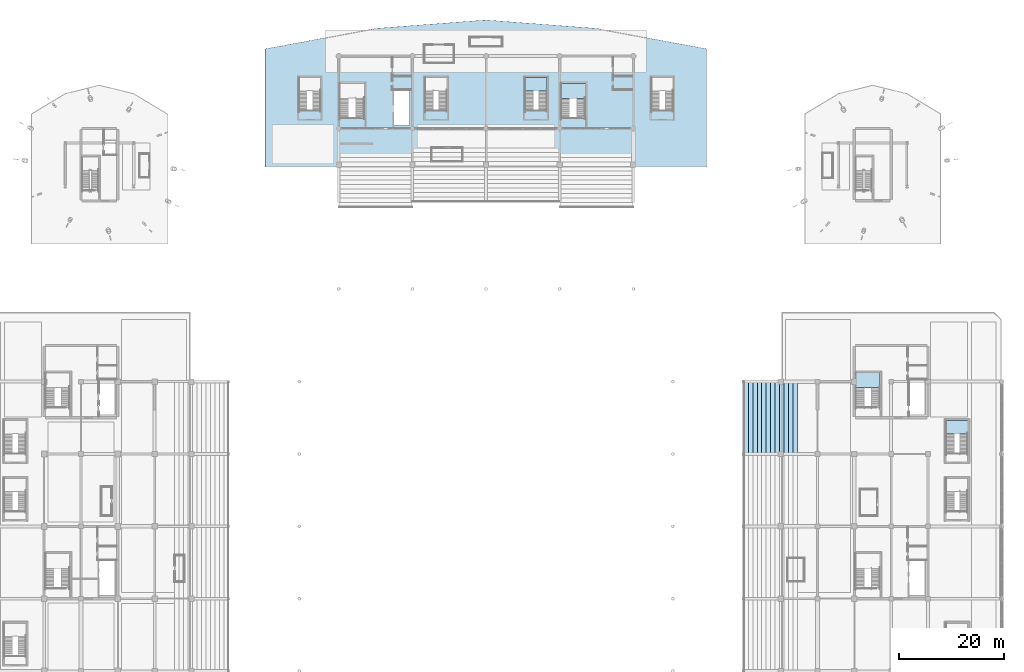
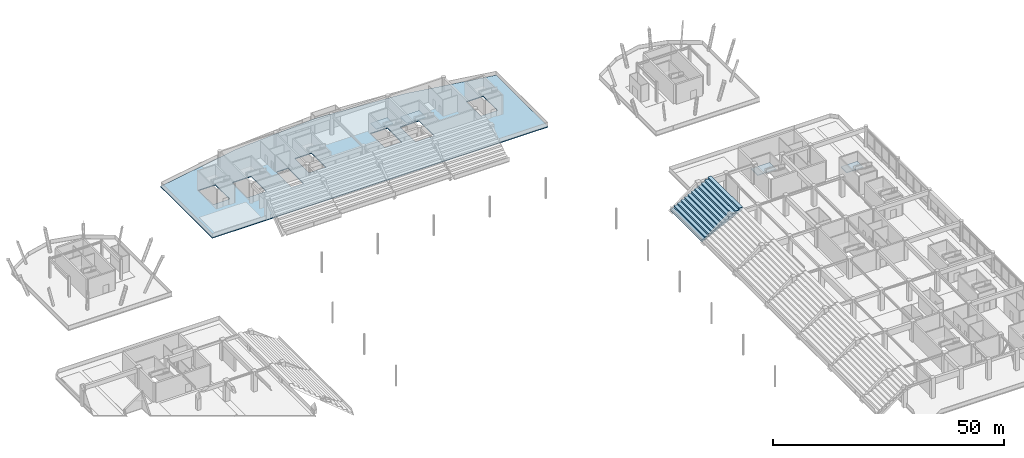
# One storey, part 79 of 117: 6 slabs, 4 elements without a shape of their own.
"""IFC4 building model written with IfcOpenShell, lengths in metres."""

from ifc_helpers import new_model, si_unit, direction, frame, origin, place, context, subcontext, project, spatial, polyline, outline, extrude, material, layer, layer_set, type_object, element, aggregate, save


model = new_model("IFC4")

# Units and contexts
model_context = context("Model", 3, precision=1e-05, world=origin(), true_north=direction((0.0, 1.0)))
body_context = subcontext(model_context, "Body", "Model", "MODEL_VIEW")
ifc_project = project(units=[si_unit("LENGTHUNIT", "METRE"), si_unit("AREAUNIT", "SQUARE_METRE"), si_unit("VOLUMEUNIT", "CUBIC_METRE"), si_unit("PLANEANGLEUNIT", "RADIAN"), si_unit("MASSUNIT", "GRAM", prefix="KILO")], contexts=[model_context])

# Site, building, storey
site_placement = place(None, origin())
site = spatial("IfcSite", under=ifc_project, at=site_placement, CompositionType="ELEMENT")
building_placement = place(site_placement, origin())
building = spatial("IfcBuilding", under=site, at=building_placement, Name="Linyun Crest Stadium", CompositionType="ELEMENT")
storey_placement = place(building_placement, frame((0.0, 0.0, 6.0)))
storey = spatial("IfcBuildingStorey", under=building, at=storey_placement, Name="L02", CompositionType="ELEMENT", Elevation=6.0)

# Slab
ifc_material_1 = material(Name="Concrete C40", Category="concrete")
ifc_layer_1 = layer(ifc_material_1, 0.219970703125)
ifc_layer_set_1 = layer_set([ifc_layer_1], Name="Concrete C40")
slab_type_1 = type_object("IfcSlabType", Name="FS03", PredefinedType="FLOOR", material=ifc_layer_set_1)
slab_1_placement = place(storey_placement, frame((0.0, 0.0, -0.219970703125)))
element("IfcSlab", 1, at=slab_1_placement, inside=storey, type_object=slab_type_1, Name="Slab FS03 V3 L02 33", PredefinedType="FLOOR", context=body_context, shape_type="SweptSolid", body=[
    extrude(outline(polyline([(-42.0, 84.199951171875), (42.0, 84.199951171875), (42.0, 106.625), (21.0, 110.52490234375), (0.0, 112.125), (-21.0, 110.52490234375), (-42.0, 106.625), (-42.0, 84.199951171875)]), holes=[polyline([(-27.824951171875, 93.52001953125), (-27.824951171875, 100.10009765625), (-23.10009765625, 100.10009765625), (-23.10009765625, 93.52001953125), (-27.824951171875, 93.52001953125)]), polyline([(-17.60009765625, 92.14990234375), (-17.60009765625, 98.75), (-14.60009765625, 98.75), (-14.60009765625, 92.14990234375), (-17.60009765625, 92.14990234375)]), polyline([(14.199951171875, 93.52001953125), (14.199951171875, 100.10009765625), (18.89990234375, 100.10009765625), (18.89990234375, 93.52001953125), (14.199951171875, 93.52001953125)]), polyline([(-35.60009765625, 94.949951171875), (-35.60009765625, 101.199951171875), (-31.39990234375, 101.199951171875), (-31.39990234375, 94.949951171875), (-35.60009765625, 94.949951171875)]), polyline([(-11.60009765625, 94.949951171875), (-11.60009765625, 101.199951171875), (-7.39990234375, 101.199951171875), (-7.39990234375, 94.949951171875), (-11.60009765625, 94.949951171875)]), polyline([(7.39990234375, 94.949951171875), (7.39990234375, 101.199951171875), (11.60009765625, 101.199951171875), (11.60009765625, 94.949951171875), (7.39990234375, 94.949951171875)]), polyline([(31.39990234375, 94.949951171875), (31.39990234375, 101.199951171875), (35.60009765625, 101.199951171875), (35.60009765625, 94.949951171875), (31.39990234375, 94.949951171875)])]), origin(), (0.0, 0.0, 1.0), 0.219970703125),
])

# Stair, slab
ifc_material_2 = material(Name="Concrete C40", Category="concrete")
stair_type = type_object("IfcStairType", Name="STA02", PredefinedType="HALF_TURN_STAIR", material=ifc_material_2)
stair_1_placement = place(storey_placement, origin())
stair_1 = element("IfcStair", 2, at=stair_1_placement, inside=storey, type_object=stair_type, Name="Evacuation stair STR-06-L02", PredefinedType="HALF_TURN_STAIR")
ifc_material_3 = material(Name="Concrete C40", Category="concrete")
ifc_layer_2 = layer(ifc_material_3, 0.179931640625)
ifc_layer_set_2 = layer_set([ifc_layer_2], Name="Concrete C40")
slab_type_2 = type_object("IfcSlabType", Name="LS01", PredefinedType="LANDING", material=ifc_layer_set_2)
slab_2_placement = place(storey_placement, frame((0.0, 0.0, 2.52001953125)))
slab_2 = element("IfcSlab", 3, at=slab_2_placement, type_object=slab_type_2, Name="STR-06-L02 half-landing", PredefinedType="LANDING", context=body_context, shape_type="SweptSolid", body=[
    extrude(outline(polyline([(70.22509765625, 42.239990234375), (74.89990234375, 42.239990234375), (74.89990234375, 45.10009765625), (70.22509765625, 45.10009765625), (70.22509765625, 42.239990234375)])), origin(), (0.0, 0.0, 1.0), 0.179931640625),
])
aggregate(stair_1, [slab_2])

stair_2_placement = place(storey_placement, origin())
stair_2 = element("IfcStair", 4, at=stair_2_placement, inside=storey, type_object=stair_type, Name="Evacuation stair STR-08-L02", PredefinedType="HALF_TURN_STAIR")
slab_3_placement = place(storey_placement, frame((0.0, 0.0, 2.52001953125)))
slab_3 = element("IfcSlab", 5, at=slab_3_placement, type_object=slab_type_2, Name="STR-08-L02 half-landing", PredefinedType="LANDING", context=body_context, shape_type="SweptSolid", body=[
    extrude(outline(polyline([(14.199951171875, 97.239990234375), (18.89990234375, 97.239990234375), (18.89990234375, 100.10009765625), (14.199951171875, 100.10009765625), (14.199951171875, 97.239990234375)])), origin(), (0.0, 0.0, 1.0), 0.179931640625),
])
aggregate(stair_2, [slab_3])

stair_3_placement = place(storey_placement, origin())
stair_3 = element("IfcStair", 6, at=stair_3_placement, inside=storey, type_object=stair_type, Name="Vomitory evacuation stair STR-22-L02", PredefinedType="HALF_TURN_STAIR")
slab_4_placement = place(storey_placement, frame((0.0, 0.0, 2.52001953125)))
slab_4 = element("IfcSlab", 7, at=slab_4_placement, type_object=slab_type_2, Name="STR-22-L02 half-landing", PredefinedType="LANDING", context=body_context, shape_type="SweptSolid", body=[
    extrude(outline(polyline([(87.39990234375, 33.469970703125), (91.60009765625, 33.469970703125), (91.60009765625, 36.0), (87.39990234375, 36.0), (87.39990234375, 33.469970703125)])), origin(), (0.0, 0.0, 1.0), 0.179931640625),
])
aggregate(stair_3, [slab_4])

stair_4_placement = place(storey_placement, origin())
stair_4 = element("IfcStair", 8, at=stair_4_placement, inside=storey, type_object=stair_type, Name="Vomitory evacuation stair STR-25-L02", PredefinedType="HALF_TURN_STAIR")
slab_5_placement = place(storey_placement, frame((0.0, 0.0, 2.52001953125)))
slab_5 = element("IfcSlab", 9, at=slab_5_placement, type_object=slab_type_2, Name="STR-25-L02 half-landing", PredefinedType="LANDING", context=body_context, shape_type="SweptSolid", body=[
    extrude(outline(polyline([(7.39990234375, 98.669921875), (11.60009765625, 98.669921875), (11.60009765625, 101.199951171875), (7.39990234375, 101.199951171875), (7.39990234375, 98.669921875)])), origin(), (0.0, 0.0, 1.0), 0.179931640625),
])
aggregate(stair_4, [slab_5])

# Slab
ifc_material_4 = material(Name="Precast concrete C50", Category="concrete")
ifc_layer_3 = layer(ifc_material_4, 0.179931640625)
ifc_layer_set_3 = layer_set([ifc_layer_3], Name="Precast concrete C50")
slab_type_3 = type_object("IfcSlabType", Name="ST02", PredefinedType="USERDEFINED", material=ifc_layer_set_3)
slab_6_placement = place(storey_placement, frame((49.0, 29.705078125, 0.199951171875), z_axis=(0.0, 0.0, 1.0), x_axis=(1.0, 0.0, 0.0)))
element("IfcSlab", 10, at=slab_6_placement, inside=storey, type_object=slab_type_3, Name="Precast seating tier ST02 V2 54", ObjectType="SEATING TIER", PredefinedType="USERDEFINED", context=body_context, shape_type="SweptSolid", body=[
    extrude(outline(polyline([(0.0, 0.0), (0.0, -0.4599609375), (0.85009765625, -0.4599609375), (0.85009765625, -0.919921875), (1.699951171875, -0.919921875), (1.699951171875, -1.3798828125), (2.550048828125, -1.3798828125), (2.550048828125, -1.840087890625), (3.39990234375, -1.840087890625), (3.39990234375, -2.300048828125), (4.25, -2.300048828125), (4.25, -2.760009765625), (5.10009765625, -2.760009765625), (5.10009765625, -3.219970703125), (5.949951171875, -3.219970703125), (5.949951171875, -3.679931640625), (6.800048828125, -3.679931640625), (6.800048828125, -4.139892578125), (7.64990234375, -4.139892578125), (7.64990234375, -4.60009765625), (8.5, -4.60009765625), (8.5, -5.06005859375), (9.35009765625, -5.06005859375), (9.35009765625, -5.52001953125), (10.199951171875, -5.52001953125), (10.199951171875, -4.8798828125), (0.0, 0.179931640625), (0.0, 0.0)])), frame((0.0, 0.0, 0.0), z_axis=(0.0, 1.0, 0.0), x_axis=(1.0, 0.0, 0.0)), (0.0, 0.0, 1.0), 13.58984375),
])

save(model, "model.ifc")
